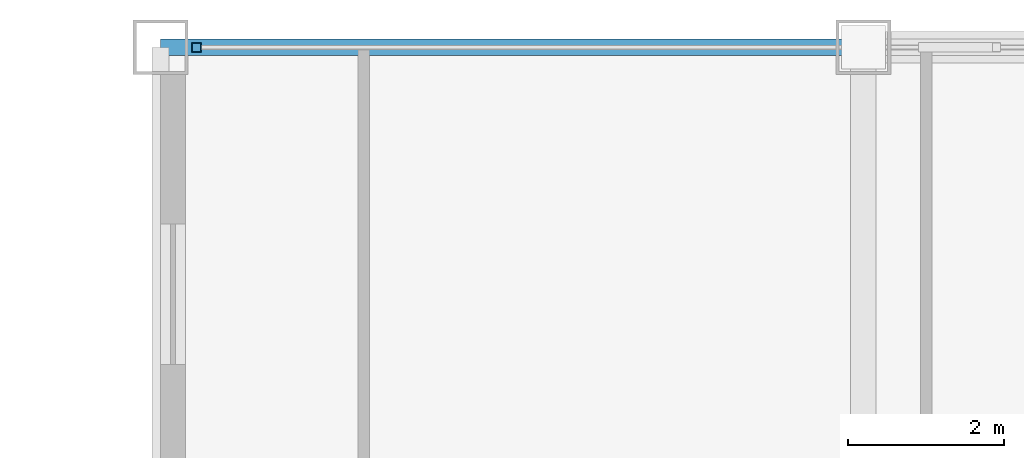
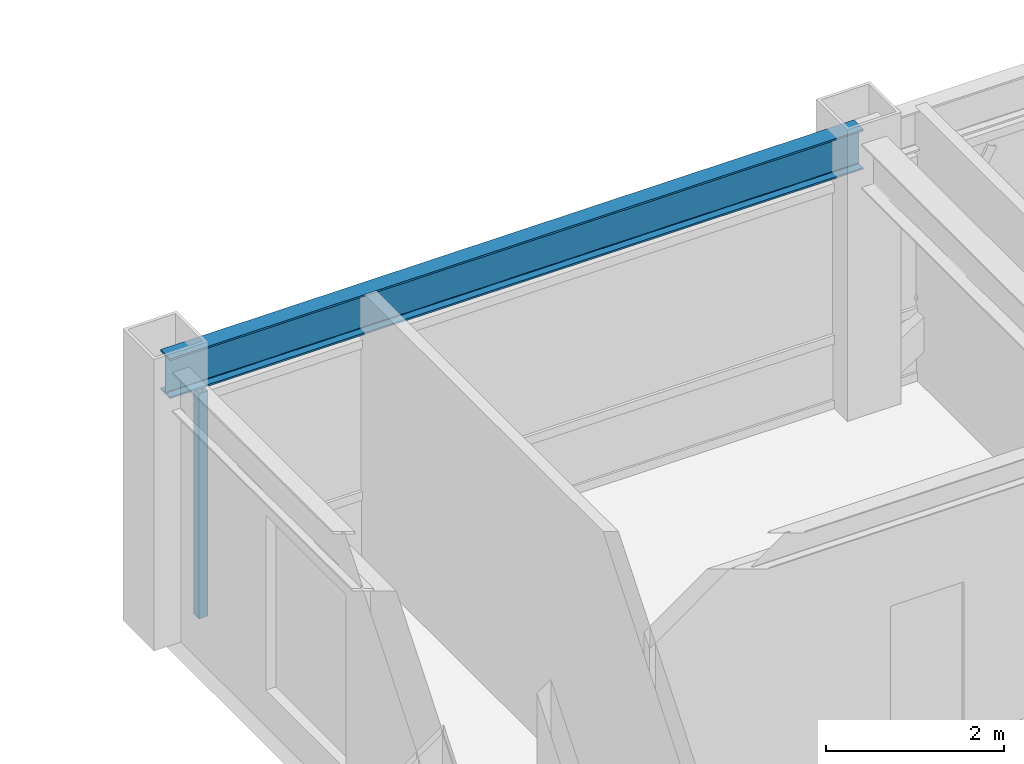
# One storey, part 16 of 29: 1 beam, 1 member, 1 element without a shape of its own.
"""IFC4 building model written with IfcOpenShell, lengths in metres."""

from ifc_helpers import new_model, si_unit, direction, frame, origin, origin_2d, place, context, subcontext, project, spatial, hollow_rectangle, i_section, extrude, source, transform, mapped, material, material_profile, profile_set, type_object, element, aggregate, save


model = new_model("IFC4")

# Units and contexts
model_context = context("Model", 3, precision=1e-05, world=origin(), true_north=direction((0.0, 1.0)))
body_context = subcontext(model_context, "Body", "Model", "MODEL_VIEW")
ifc_project = project(units=[si_unit("LENGTHUNIT", "METRE"), si_unit("AREAUNIT", "SQUARE_METRE"), si_unit("VOLUMEUNIT", "CUBIC_METRE"), si_unit("PLANEANGLEUNIT", "RADIAN"), si_unit("MASSUNIT", "GRAM", prefix="KILO")], contexts=[model_context])

# Site, building, storey
site_placement = place(None, origin())
site = spatial("IfcSite", under=ifc_project, at=site_placement, CompositionType="ELEMENT")
building_placement = place(site_placement, origin())
building = spatial("IfcBuilding", under=site, at=building_placement, Name="Khorayat Bourse Tower", CompositionType="ELEMENT")
storey_placement = place(building_placement, frame((0.0, 0.0, 358.300048828125)))
storey = spatial("IfcBuildingStorey", under=building, at=storey_placement, Name="L85", CompositionType="ELEMENT", Elevation=358.300048828125)

# Beam
ifc_material_1 = material(Name="Steel ASTM A992 Grade 50", Category="steel")
ifc_material_profile_1 = material_profile(ifc_material_1, i_section(OverallWidth=0.214111328125, OverallDepth=0.549072265625, WebThickness=0.0146484375, FlangeThickness=0.023681640625, FilletRadius=0.013916015625, at=origin_2d()), Name="W530X138")
ifc_profile_set_1 = profile_set([ifc_material_profile_1], Name="Steel ASTM A992 Grade 50")
beam_type = type_object("IfcBeamType", Name="BM-SPAN-530", PredefinedType="SPANDREL", material=ifc_profile_set_1)
shared_shape_1 = source(origin(), body_context, "Body", "SweptSolid", [
    extrude(i_section(OverallWidth=0.214111328125, OverallDepth=0.549072265625, WebThickness=0.0146484375, FlangeThickness=0.023681640625, FilletRadius=0.013916015625, at=origin_2d()), origin(), (0.0, 0.0, 1.0), 9.0),
])
beam_placement = place(storey_placement, frame((-20.0, 26.0, 3.46533203125), z_axis=(1.0, 0.0, 0.0), x_axis=(0.0, 1.0, 0.0)))
element("IfcBeam", 1, at=beam_placement, inside=storey, type_object=beam_type, Name="L85 BM-SPAN-530 BM-L85-SPN-045", PredefinedType="SPANDREL", context=body_context, shape_type="MappedRepresentation", body=[
    mapped(shared_shape_1, transform((0.0, 0.0, 0.0), scale=1.0)),
])

# Curtain wall, member
ifc_material_2 = material(Name="Aluminium EN AW-6063 T6", Category="aluminium")
curtain_wall_type = type_object("IfcCurtainWallType", Name="CW-SYS-04", PredefinedType="NOTDEFINED", material=ifc_material_2)
curtain_wall_placement = place(storey_placement, origin())
curtain_wall = element("IfcCurtainWall", 2, at=curtain_wall_placement, inside=storey, type_object=curtain_wall_type, Name="L85 Curtain Wall CW-L85-N1", PredefinedType="NOTDEFINED")
ifc_material_profile_2 = material_profile(ifc_material_2, hollow_rectangle(XDim=0.1201171875, YDim=0.1201171875, WallThickness=0.0048828125, at=origin_2d()), Name="ALU 120x120x5")
ifc_profile_set_2 = profile_set([ifc_material_profile_2], Name="Aluminium EN AW-6063 T6")
member_type = type_object("IfcMemberType", Name="CWM-VERT-120", PredefinedType="MULLION", material=ifc_profile_set_2)
shared_shape_2 = source(origin(), body_context, "Body", "SweptSolid", [
    extrude(hollow_rectangle(XDim=0.1201171875, YDim=0.1201171875, WallThickness=0.0048828125, at=origin_2d()), origin(), (0.0, 0.0, 1.0), 3.08984375),
])
member_placement = place(storey_placement, frame((-19.5400390625, 26.0, 0.0), z_axis=(0.0, 0.0, 1.0), x_axis=(0.0, 1.0, 0.0)))
member = element("IfcMember", 3, at=member_placement, type_object=member_type, Name="CW-L85-N1 Vertical Mullion 1", PredefinedType="MULLION", context=body_context, shape_type="MappedRepresentation", body=[
    mapped(shared_shape_2, transform((0.0, 0.0, 0.0), scale=1.0)),
])
aggregate(curtain_wall, [member])

save(model, "model.ifc")
